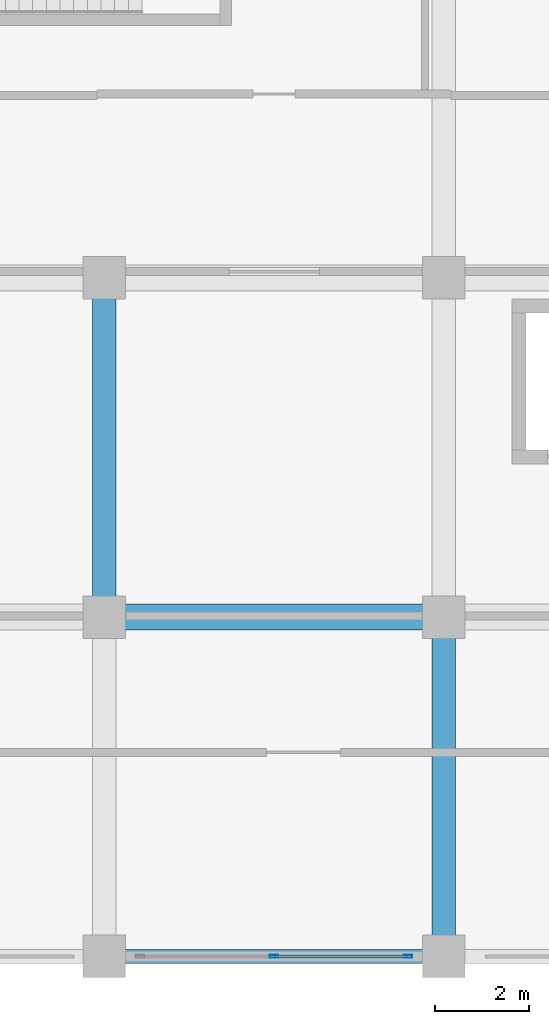
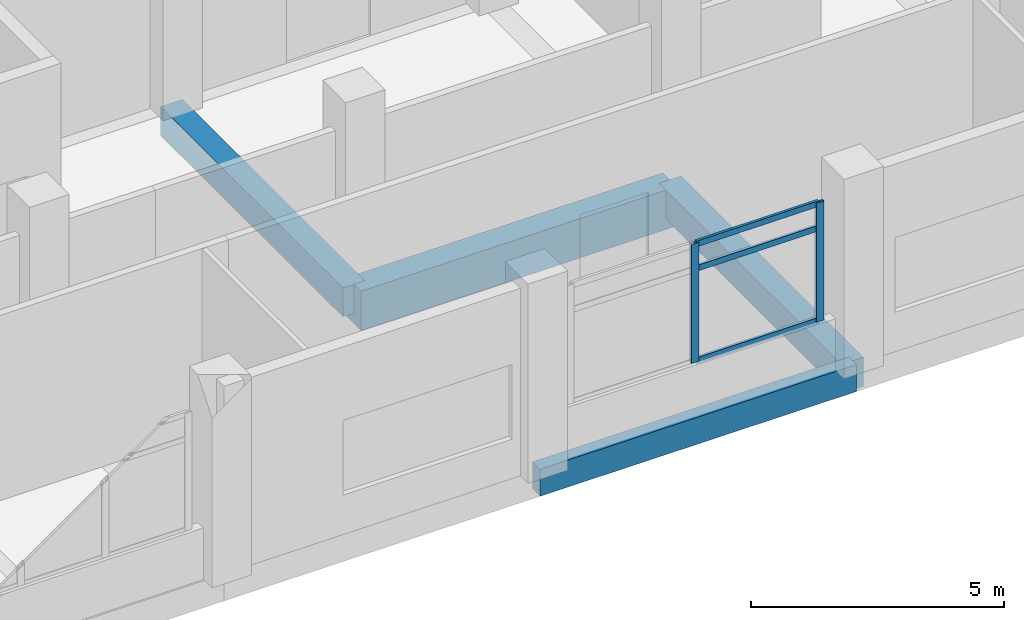
# One storey, part 41 of 181: 5 members, 4 beams, 1 element without a shape of its own.
"""IFC4 building model written with IfcOpenShell, lengths in metres."""

import ifcopenshell
import ifcopenshell.guid

model = None  # the IFC model being written
_history = None  # IfcOwnerHistory: only IFC2X3 demands one
_inside = {}  # id of a spatial element -> (the spatial element, [elements in it])
_under = {}  # id of a project, library or spatial element -> (it, [spatial elements below it])
_declared = {}  # id of a project -> (the project, [libraries it declares])
_typed = {}  # id of a type object -> (the type object, [elements of that type])
_made_of = {}  # id of a material, layer set ... -> (it, [elements and type objects made of it])


def new_model(schema):
    """Start an empty IFC model of exactly this schema.

    Asked for "IFC4X3", IfcOpenShell would pick the latest addendum, in which some entities
    have other attributes; the version numbers below select the first issue.
    IFC2X3 requires an IfcOwnerHistory on every rooted entity: one is made here for all.
    """
    global model, _history
    if schema == "IFC4X3":
        model = ifcopenshell.file(schema_version=(4, 3, 0, 0))
    else:
        model = ifcopenshell.file(schema=schema)
    _inside.clear()
    _under.clear()
    _declared.clear()
    _typed.clear()
    _made_of.clear()
    _history = None
    if model.schema == "IFC2X3":
        org = make("IfcOrganization", Name="unknown")
        user = make(
            "IfcPersonAndOrganization",
            ThePerson=make("IfcPerson", FamilyName="unknown"),
            TheOrganization=org,
        )
        app = make(
            "IfcApplication",
            ApplicationDeveloper=org,
            Version="unknown",
            ApplicationFullName="unknown",
            ApplicationIdentifier="unknown",
        )
        _history = make(
            "IfcOwnerHistory",
            OwningUser=user,
            OwningApplication=app,
            ChangeAction="ADDED",
            CreationDate=0,
        )
    return model


def make(cls, **values):
    """One entity of the class cls with the attributes given. An attribute that is None is left unset."""
    return model.create_entity(
        cls, **{name: value for name, value in values.items() if value is not None}
    )


def rooted(cls, **values):
    """An entity with a GlobalId (a new one), such as an element, a storey or a relation."""
    return make(cls, GlobalId=ifcopenshell.guid.new(), OwnerHistory=_history, **values)


def si_unit(unit_type, name, prefix=None):
    """IfcSIUnit, for example si_unit("LENGTHUNIT", "METRE", prefix="MILLI")."""
    return make("IfcSIUnit", UnitType=unit_type, Prefix=prefix, Name=name)


def assignment(units):
    """IfcUnitAssignment: the units of a project."""
    return None if units is None else make("IfcUnitAssignment", Units=units)


def point(xyz):
    """IfcCartesianPoint."""
    return None if xyz is None else make("IfcCartesianPoint", Coordinates=xyz)


def direction(xyz):
    """IfcDirection."""
    return None if xyz is None else make("IfcDirection", DirectionRatios=xyz)


def frame(location, z_axis=None, x_axis=None):
    """IfcAxis2Placement3D, a coordinate frame: its origin and axes. An axis left out is left unset."""
    return make(
        "IfcAxis2Placement3D",
        Location=point(location),
        Axis=direction(z_axis),
        RefDirection=direction(x_axis),
    )


def frame_2d(location, x_axis=None):
    """IfcAxis2Placement2D, a coordinate frame in the plane: its origin and x axis."""
    return make(
        "IfcAxis2Placement2D", Location=point(location), RefDirection=direction(x_axis)
    )


def origin():
    """The frame at (0, 0, 0) with its axes left unset."""
    return frame((0.0, 0.0, 0.0))


def origin_2d():
    """The frame at (0, 0) in the plane with its x axis left unset."""
    return frame_2d((0.0, 0.0))


def place(relative_to, where):
    """IfcLocalPlacement: puts the frame where relative to a parent placement (None: the world)."""
    return make(
        "IfcLocalPlacement", PlacementRelTo=relative_to, RelativePlacement=where
    )


def context(
    kind, dimensions, precision=None, world=None, true_north=None, identifier=None
):
    """IfcGeometricRepresentationContext, for example the 3D "Model" context."""
    return make(
        "IfcGeometricRepresentationContext",
        ContextIdentifier=identifier,
        ContextType=kind,
        CoordinateSpaceDimension=dimensions,
        Precision=precision,
        WorldCoordinateSystem=world,
        TrueNorth=true_north,
    )


def subcontext(parent, identifier, kind, view, scale=None):
    """IfcGeometricRepresentationSubContext, for example "Body" below "Model"."""
    return make(
        "IfcGeometricRepresentationSubContext",
        ContextIdentifier=identifier,
        ContextType=kind,
        ParentContext=parent,
        TargetScale=scale,
        TargetView=view,
    )


def project(units=None, contexts=None):
    """IfcProject with its units and contexts."""
    return rooted(
        "IfcProject",
        Name="project",
        RepresentationContexts=contexts,
        UnitsInContext=assignment(units),
    )


def spatial(cls, under=None, at=None, **own):
    """A site, building, storey or space (cls), placed at a placement, below another one or the project."""
    s = rooted(cls, ObjectPlacement=at, **own)
    if under is not None:
        _under.setdefault(under.id(), (under, []))[1].append(s)
    return s


def profile(cls, at=None, kind="AREA", **sizes):
    """A parametric profile (cls). Its sizes go by their IFC names, for example OverallWidth=200.0."""
    return make(cls, ProfileType=kind, Position=at, **sizes)


def rectangle(**sizes):
    """IfcRectangleProfileDef."""
    return profile("IfcRectangleProfileDef", **sizes)


def hollow_rectangle(**sizes):
    """IfcRectangleHollowProfileDef."""
    return profile("IfcRectangleHollowProfileDef", **sizes)


def extrude(swept, where, along, depth):
    """IfcExtrudedAreaSolid: the profile swept, set in the frame where, extruded along a direction by depth."""
    return make(
        "IfcExtrudedAreaSolid",
        SweptArea=swept,
        Position=where,
        ExtrudedDirection=direction(along),
        Depth=depth,
    )


def shape(context_of_items, identifier, shape_type, items):
    """IfcShapeRepresentation: the items that make up one representation, for example the "Body"."""
    return make(
        "IfcShapeRepresentation",
        ContextOfItems=context_of_items,
        RepresentationIdentifier=identifier,
        RepresentationType=shape_type,
        Items=items,
    )


def material(Name=None, Category=None):
    """IfcMaterial."""
    return make("IfcMaterial", Name=Name, Category=Category)


def layer(
    of_material, thickness, ventilated=None, Name=None, Category=None, Priority=None
):
    """IfcMaterialLayer: one layer of a wall or slab, of a material (None: an air gap)."""
    return make(
        "IfcMaterialLayer",
        Material=of_material,
        LayerThickness=thickness,
        IsVentilated=ventilated,
        Name=Name,
        Category=Category,
        Priority=Priority,
    )


def layer_set(layers, Name=None):
    """IfcMaterialLayerSet."""
    return make("IfcMaterialLayerSet", MaterialLayers=layers, LayerSetName=Name)


def material_profile(
    of_material, cross_section, Name=None, Category=None, Priority=None
):
    """IfcMaterialProfile: a cross section and its material."""
    return make(
        "IfcMaterialProfile",
        Name=Name,
        Material=of_material,
        Profile=cross_section,
        Priority=Priority,
        Category=Category,
    )


def profile_set(profiles, Name=None, composite=None):
    """IfcMaterialProfileSet."""
    return make(
        "IfcMaterialProfileSet",
        Name=Name,
        MaterialProfiles=profiles,
        CompositeProfile=composite,
    )


def made_of(thing, what):
    """Note that an element or type object is made of a material, layer set ...; save() writes the relation."""
    if what is not None:
        _made_of.setdefault(what.id(), (what, []))[1].append(thing)
    return thing


def type_object(cls, material=None, **own):
    """A type object (cls), such as IfcWallType, which elements share."""
    return made_of(rooted(cls, **own), material)


def element(
    cls,
    number,
    at=None,
    inside=None,
    cuts=None,
    type_object=None,
    material=None,
    context=None,
    identifier="Body",
    shape_type=None,
    held_by="IfcProductDefinitionShape",
    body=None,
    shapes=None,
    **own,
):
    """One element of the class cls, such as IfcWall. Its Tag is "e" and its number.

    at: its placement. inside: the storey or other place that contains it. cuts: it is an
    opening in that element (IfcRelVoidsElement). A single representation is given by context,
    identifier, shape_type and body (its items); several are given by shapes. held_by: the class
    of the entity that holds the representations. save() writes the other relations.
    """
    e = rooted(cls, Tag="e%d" % number, ObjectPlacement=at, **own)
    if body is not None:
        shapes = [shape(context, identifier, shape_type, body)]
    if shapes is not None:
        e.Representation = make(held_by, Representations=shapes)
    if inside is not None:
        _inside.setdefault(inside.id(), (inside, []))[1].append(e)
    if cuts is not None:
        rooted(
            "IfcRelVoidsElement", RelatingBuildingElement=cuts, RelatedOpeningElement=e
        )
    if type_object is not None:
        _typed.setdefault(type_object.id(), (type_object, []))[1].append(e)
    return made_of(e, material)


def aggregate(whole, parts):
    """IfcRelAggregates: a whole, such as a stair, and the parts it consists of."""
    return rooted("IfcRelAggregates", RelatingObject=whole, RelatedObjects=parts)


def save(model, path):
    """Write the relations noted so far, then the file.

    IfcRelAggregates (storeys below a building ...), IfcRelContainedInSpatialStructure (elements
    in a storey), IfcRelDefinesByType, IfcRelAssociatesMaterial and IfcRelDeclares: one each for
    every whole, place, type object, material and project.
    """
    for whole, parts in _under.values():
        aggregate(whole, parts)
    for where, things in _inside.values():
        rooted(
            "IfcRelContainedInSpatialStructure",
            RelatedElements=things,
            RelatingStructure=where,
        )
    for kind, things in _typed.values():
        rooted("IfcRelDefinesByType", RelatedObjects=things, RelatingType=kind)
    for what, things in _made_of.values():
        rooted("IfcRelAssociatesMaterial", RelatedObjects=things, RelatingMaterial=what)
    for by, libraries in _declared.values():
        rooted("IfcRelDeclares", RelatingContext=by, RelatedDefinitions=libraries)
    model.write(path)


model = new_model("IFC4")

# Units and contexts
model_context = context("Model", 3, precision=1e-05, world=origin(), true_north=direction((0.0, 1.0)))
body_context = subcontext(model_context, "Body", "Model", "MODEL_VIEW")
ifc_project = project(units=[si_unit("LENGTHUNIT", "METRE"), si_unit("AREAUNIT", "SQUARE_METRE"), si_unit("VOLUMEUNIT", "CUBIC_METRE"), si_unit("PLANEANGLEUNIT", "RADIAN"), si_unit("MASSUNIT", "GRAM", prefix="KILO")], contexts=[model_context])

# Site, building, storey
site_placement = place(None, origin())
site = spatial("IfcSite", under=ifc_project, at=site_placement, CompositionType="ELEMENT")
building_placement = place(site_placement, origin())
building = spatial("IfcBuilding", under=site, at=building_placement, Name="Seraya Terrace Polytechnic", CompositionType="ELEMENT")
storey_placement = place(building_placement, frame((0.0, 0.0, 4.800048828125)))
storey = spatial("IfcBuildingStorey", under=building, at=storey_placement, Name="L01", CompositionType="ELEMENT", Elevation=4.800048828125)

# Beams
ifc_material_1 = material(Name="Concrete C40/50", Category="concrete")
ifc_material_profile_1 = material_profile(ifc_material_1, rectangle(XDim=0.550048828125, YDim=0.949951171875, at=origin_2d()), Name="RC 550x950")
ifc_profile_set_1 = profile_set([ifc_material_profile_1], Name="Concrete C40/50")
beam_type_1 = type_object("IfcBeamType", Name="BM-03", PredefinedType="BEAM", material=ifc_profile_set_1)
beam_1_placement = place(storey_placement, frame((100.800048828125, 7.199951171875, -0.47509765625), z_axis=(1.0, 0.0, 0.0), x_axis=(0.0, 1.0, 0.0)))
element("IfcBeam", 1, at=beam_1_placement, inside=storey, type_object=beam_type_1, Name="Beam BM-03 L01 X (100.8..108.0, 7.2)", PredefinedType="BEAM", context=body_context, shape_type="SweptSolid", body=[
    extrude(rectangle(XDim=0.550048828125, YDim=0.949951171875, at=origin_2d()), origin(), (0.0, 0.0, 1.0), 7.199951171875),
])
ifc_material_profile_2 = material_profile(ifc_material_1, rectangle(XDim=0.5, YDim=0.699951171875, at=origin_2d()), Name="RC 500x700")
ifc_profile_set_2 = profile_set([ifc_material_profile_2], Name="Concrete C40/50")
beam_type_2 = type_object("IfcBeamType", Name="BM-07", PredefinedType="BEAM", material=ifc_profile_set_2)
for number, where, z_axis, x_axis, name in (
    (2, (100.800048828125, 7.199951171875, -0.35009765625), (0.0, 1.0, 0.0), (-1.0, 0.0, 0.0), "Beam BM-07 L01 Y (100.8, 7.2..14.4)"),
    (3, (108.0, 0.0, -0.35009765625), (0.0, 1.0, 0.0), (-1.0, 0.0, 0.0), "Beam BM-07 L01 Y (108.0, 0.0..7.2)"),
):
    element("IfcBeam", number, at=place(storey_placement, frame(where, z_axis=z_axis, x_axis=x_axis)), inside=storey, type_object=beam_type_2, Name=name, PredefinedType="BEAM", context=body_context, shape_type="SweptSolid", body=[
        extrude(rectangle(XDim=0.5, YDim=0.699951171875, at=origin_2d()), origin(), (0.0, 0.0, 1.0), 7.199951171875),
    ])

# Curtain wall, members
ifc_material_2 = material(Name="Anodised aluminium EN AW-6063 T6", Category="aluminium")
ifc_layer = layer(ifc_material_2, 0.179931640625, Name="CW-31")
ifc_layer_set = layer_set([ifc_layer], Name="Anodised aluminium EN AW-6063 T6")
curtain_wall_type = type_object("IfcCurtainWallType", Name="CW-31", PredefinedType="NOTDEFINED", material=ifc_layer_set)
curtain_wall_placement = place(storey_placement, origin())
curtain_wall = element("IfcCurtainWall", 4, at=curtain_wall_placement, inside=storey, type_object=curtain_wall_type, Name="Unitised curtain wall CW-31 (CW-L01-031)", PredefinedType="NOTDEFINED")
ifc_material_profile_3 = material_profile(ifc_material_2, hollow_rectangle(XDim=0.06494140625, YDim=0.179931640625, WallThickness=0.00390625, at=origin_2d()), Name="RHS 180x65x4.0")
ifc_profile_set_3 = profile_set([ifc_material_profile_3], Name="Anodised aluminium EN AW-6063 T6")
member_type_1 = type_object("IfcMemberType", Name="CWM-01", PredefinedType="MULLION", material=ifc_profile_set_3)
member_1_placement = place(storey_placement, frame((107.24755859375, 0.0, 1.239990234375), z_axis=(0.0, 0.0, 1.0), x_axis=(0.0, -1.0, 0.0)))
member_1 = element("IfcMember", 5, at=member_1_placement, type_object=member_type_1, Name="CW-31 mullion 1", PredefinedType="MULLION", context=body_context, shape_type="SweptSolid", body=[
    extrude(hollow_rectangle(XDim=0.06494140625, YDim=0.179931640625, WallThickness=0.00390625, at=origin_2d()), origin(), (0.0, 0.0, 1.0), 2.869873046875),
])
member_2_placement = place(storey_placement, frame((104.39990234375, 0.0, 1.239990234375), z_axis=(0.0, 0.0, 1.0), x_axis=(0.0, -1.0, 0.0)))
member_2 = element("IfcMember", 6, at=member_2_placement, type_object=member_type_1, Name="CW-31 mullion 2", PredefinedType="MULLION", context=body_context, shape_type="SweptSolid", body=[
    extrude(hollow_rectangle(XDim=0.06494140625, YDim=0.179931640625, WallThickness=0.00390625, at=origin_2d()), origin(), (0.0, 0.0, 1.0), 2.869873046875),
])
ifc_material_profile_4 = material_profile(ifc_material_2, hollow_rectangle(XDim=0.06005859375, YDim=0.139892578125, WallThickness=0.00341796875, at=origin_2d()), Name="RHS 140x60x3.5")
ifc_profile_set_4 = profile_set([ifc_material_profile_4], Name="Anodised aluminium EN AW-6063 T6")
member_type_2 = type_object("IfcMemberType", Name="CWT-01", PredefinedType="USERDEFINED", material=ifc_profile_set_4)
member_3_placement = place(storey_placement, frame((107.215087890625, 0.0, 1.27001953125), z_axis=(-1.0, 0.0, 0.0), x_axis=(0.0, -1.0, 0.0)))
member_3 = element("IfcMember", 7, at=member_3_placement, type_object=member_type_2, Name="CW-31 transom 1.1", ObjectType="TRANSOM", PredefinedType="USERDEFINED", context=body_context, shape_type="SweptSolid", body=[
    extrude(hollow_rectangle(XDim=0.06005859375, YDim=0.139892578125, WallThickness=0.00341796875, at=origin_2d()), origin(), (0.0, 0.0, 1.0), 2.782470703125),
])
member_4_placement = place(storey_placement, frame((107.215087890625, 0.0, 3.489990234375), z_axis=(-1.0, 0.0, 0.0), x_axis=(0.0, -1.0, 0.0)))
member_4 = element("IfcMember", 8, at=member_4_placement, type_object=member_type_2, Name="CW-31 transom 1.2", ObjectType="TRANSOM", PredefinedType="USERDEFINED", context=body_context, shape_type="SweptSolid", body=[
    extrude(hollow_rectangle(XDim=0.06005859375, YDim=0.139892578125, WallThickness=0.00341796875, at=origin_2d()), origin(), (0.0, 0.0, 1.0), 2.782470703125),
])
member_5_placement = place(storey_placement, frame((107.215087890625, 0.0, 4.079833984375), z_axis=(-1.0, 0.0, 0.0), x_axis=(0.0, -1.0, 0.0)))
member_5 = element("IfcMember", 9, at=member_5_placement, type_object=member_type_2, Name="CW-31 transom 1.3", ObjectType="TRANSOM", PredefinedType="USERDEFINED", context=body_context, shape_type="SweptSolid", body=[
    extrude(hollow_rectangle(XDim=0.06005859375, YDim=0.139892578125, WallThickness=0.00341796875, at=origin_2d()), origin(), (0.0, 0.0, 1.0), 2.782470703125),
])
aggregate(curtain_wall, [member_1, member_2, member_3, member_4, member_5])

# Beam
ifc_material_profile_5 = material_profile(ifc_material_1, rectangle(XDim=0.300048828125, YDim=0.64990234375, at=origin_2d()), Name="RC 300x650")
ifc_profile_set_5 = profile_set([ifc_material_profile_5], Name="Concrete C40/50")
beam_type_3 = type_object("IfcBeamType", Name="SP-01", PredefinedType="SPANDREL", material=ifc_profile_set_5)
beam_2_placement = place(storey_placement, frame((100.800048828125, 0.0, -0.324951171875), z_axis=(1.0, 0.0, 0.0), x_axis=(0.0, 1.0, 0.0)))
element("IfcBeam", 10, at=beam_2_placement, inside=storey, type_object=beam_type_3, Name="Beam SP-01 L01 X (100.8..108.0, 0.0)", PredefinedType="SPANDREL", context=body_context, shape_type="SweptSolid", body=[
    extrude(rectangle(XDim=0.300048828125, YDim=0.64990234375, at=origin_2d()), origin(), (0.0, 0.0, 1.0), 7.199951171875),
])

save(model, "model.ifc")
